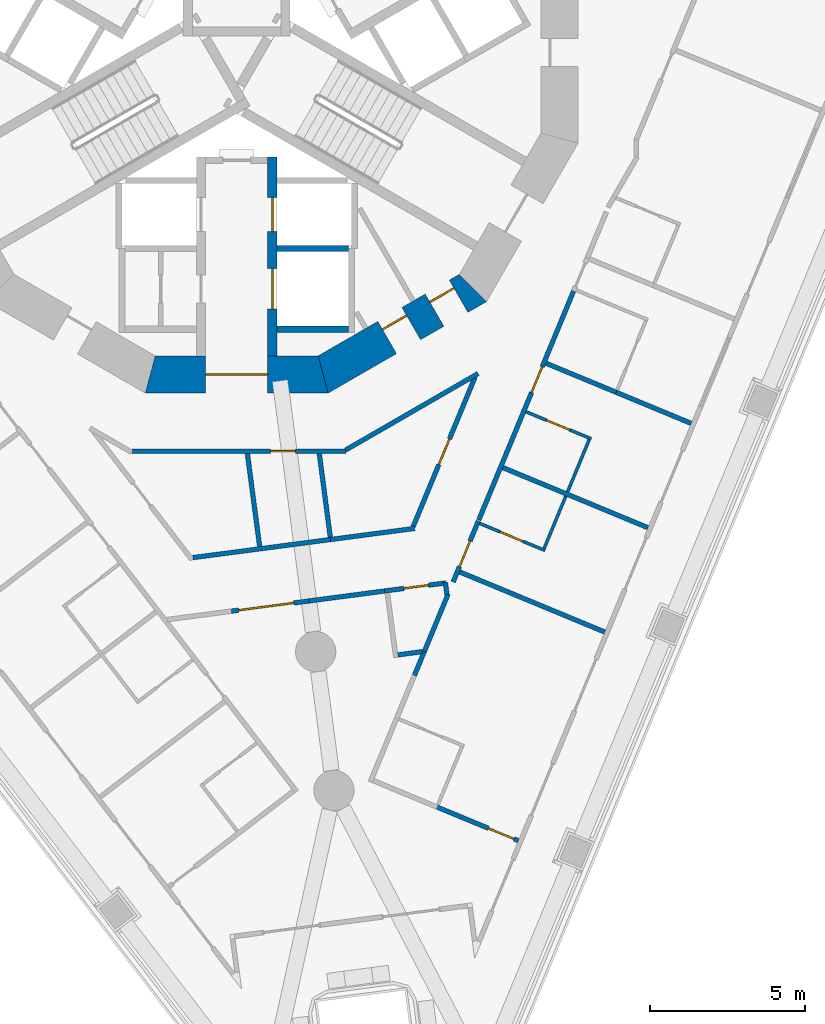
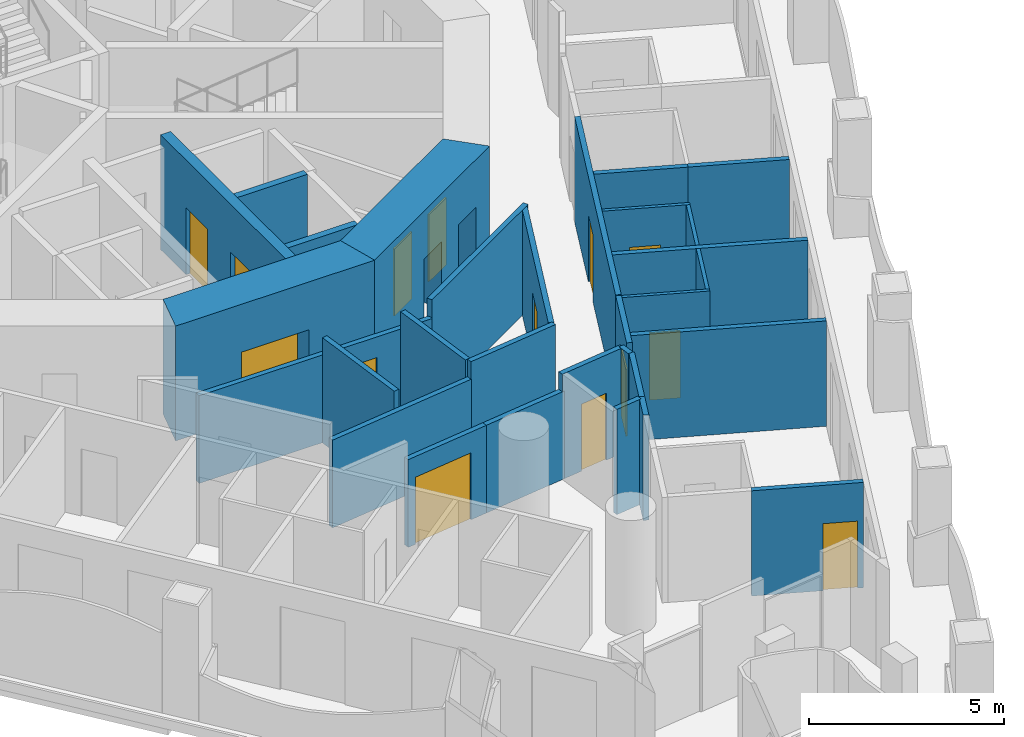
# One storey, part 4 of 19: 30 walls, 14 doors, 14 openings.
"""IFC4 building model written with IfcOpenShell, lengths in metres."""

from ifc_helpers import new_model, si_unit, direction, frame, frame_2d, origin, place, context, subcontext, project, spatial, polyline, rectangle, outline, extrude, material, layer, layer_set, type_object, element, fill, save


model = new_model("IFC4")

# Units and contexts
model_context = context("Model", 3, precision=1e-05, world=origin(), true_north=direction((0.0, 1.0)))
body_context = subcontext(model_context, "Body", "Model", "MODEL_VIEW")
ifc_project = project(units=[si_unit("LENGTHUNIT", "METRE"), si_unit("AREAUNIT", "SQUARE_METRE"), si_unit("VOLUMEUNIT", "CUBIC_METRE"), si_unit("PLANEANGLEUNIT", "RADIAN"), si_unit("MASSUNIT", "GRAM", prefix="KILO")], contexts=[model_context])

# Site, building, storey
site_placement = place(None, origin())
site = spatial("IfcSite", under=ifc_project, at=site_placement, CompositionType="ELEMENT")
building_placement = place(site_placement, origin())
building = spatial("IfcBuilding", under=site, at=building_placement, Name="Trine Commons Tower", CompositionType="ELEMENT")
storey_placement = place(building_placement, frame((0.0, 0.0, 72.0)))
storey = spatial("IfcBuildingStorey", under=building, at=storey_placement, Name="L17", CompositionType="ELEMENT", Elevation=72.0)

# Wall, opening, door
ifc_material_1 = material(Name="Concrete C80/95", Category="concrete")
ifc_layer_1 = layer(ifc_material_1, 1.199951171875)
ifc_layer_set_1 = layer_set([ifc_layer_1], Name="Concrete C80/95")
wall_type_1 = type_object("IfcWallType", Name="RC shear wall 1200 mm, C80/95", PredefinedType="SHEAR", material=ifc_layer_set_1)
wall_1_placement = place(storey_placement, frame((77.049560546875, 52.08837890625, 0.0), z_axis=(0.0, 0.0, 1.0), x_axis=(1.0, 0.0, 0.0)))
wall_1 = element("IfcWall", 1, at=wall_1_placement, inside=storey, type_object=wall_type_1, Name="Core wall CWB-10 L17", PredefinedType="SHEAR", context=body_context, shape_type="SweptSolid", body=[
    extrude(outline(polyline([(0.0, -0.60009765625), (5.90087890625, -0.60009765625), (5.57958984375, 0.60009765625), (0.321533203125, 0.60009765625), (0.0, -0.60009765625)])), origin(), (0.0, 0.0, 1.0), 3.60009765625),
])
opening_1_placement = place(wall_1_placement, frame((1.950439453125, 0.0, 0.0)))
opening_1 = element("IfcOpeningElement", 2, at=opening_1_placement, cuts=wall_1, Name="Opening K04.08", PredefinedType="OPENING", context=body_context, shape_type="SweptSolid", body=[
    extrude(rectangle(XDim=2.0, YDim=2.10009765625, at=frame_2d((1.0, 1.050048828125))), frame((0.0, 0.60986328125, 0.0), z_axis=(0.0, -1.0, 0.0), x_axis=(1.0, 0.0, 0.0)), (0.0, 0.0, 1.0), 1.219970703125),
])
ifc_material_2 = material(Name="Steel door leaves, fire-rated", Category="steel")
door_type_1 = type_object("IfcDoorType", Name="Lobby door, double leaf 2000 x 2100, FD60", OperationType="DOUBLE_DOOR_SINGLE_SWING", PredefinedType="DOOR", material=ifc_material_2)
door_1_placement = place(opening_1_placement, origin())
door_1 = element("IfcDoor", 3, at=door_1_placement, inside=storey, type_object=door_type_1, Name="Lobby door, Service and firefighting lobby L17", OperationType="DOUBLE_DOOR_SINGLE_SWING", OverallHeight=2.10009765625, OverallWidth=2.0, PredefinedType="DOOR", context=body_context, shape_type="SweptSolid", body=[
    extrude(rectangle(XDim=2.0, YDim=2.10009765625, at=frame_2d((1.0, 1.050048828125))), frame((0.0, 0.02490234375, 0.0), z_axis=(0.0, -1.0, 0.0), x_axis=(1.0, 0.0, 0.0)), (0.0, 0.0, 1.0), 0.050048828125),
])
fill(opening_1, door_1)

# Wall, openings, doors
wall_2_placement = place(storey_placement, frame((82.650390625, 52.008056640625, 0.0), z_axis=(0.0, 0.0, 1.0), x_axis=(0.866037463336, 0.499979111662, 0.0)))
wall_2 = element("IfcWall", 4, at=wall_2_placement, inside=storey, type_object=wall_type_1, Name="Core wall CWB-11 L17", PredefinedType="SHEAR", context=body_context, shape_type="SweptSolid", body=[
    extrude(outline(polyline([(0.0, -0.60009765625), (5.901123046875, -0.60009765625), (5.57958984375, 0.60009765625), (0.321533203125, 0.60009765625), (0.0, -0.60009765625)])), origin(), (0.0, 0.0, 1.0), 3.60009765625),
])
opening_2_placement = place(wall_2_placement, frame((2.543701171875, 0.0, 0.0)))
opening_2 = element("IfcOpeningElement", 5, at=opening_2_placement, cuts=wall_2, Name="Opening K04.16", PredefinedType="OPENING", context=body_context, shape_type="SweptSolid", body=[
    extrude(rectangle(XDim=0.89990234375, YDim=2.10009765625, at=frame_2d((0.449951171875, 1.050048828125))), frame((0.0, 0.60986328125, 0.0), z_axis=(0.0, -1.0, 0.0), x_axis=(1.0, 0.0, 0.0)), (0.0, 0.0, 1.0), 1.219970703125),
])
opening_3_placement = place(wall_2_placement, frame((4.308837890625, 0.0, 0.0)))
opening_3 = element("IfcOpeningElement", 6, at=opening_3_placement, cuts=wall_2, Name="Opening K04.17", PredefinedType="OPENING", context=body_context, shape_type="SweptSolid", body=[
    extrude(rectangle(XDim=0.89990234375, YDim=2.10009765625, at=frame_2d((0.449951171875, 1.050048828125))), frame((0.0, 0.60986328125, 0.0), z_axis=(0.0, -1.0, 0.0), x_axis=(1.0, 0.0, 0.0)), (0.0, 0.0, 1.0), 1.219970703125),
])
ifc_material_3 = material(Name="Steel door leaf, fire-rated", Category="steel")
door_type_2 = type_object("IfcDoorType", Name="Core room door, single leaf 900 x 2100, FD30S", OperationType="SINGLE_SWING_LEFT", PredefinedType="DOOR", material=ifc_material_3)
door_2_placement = place(opening_2_placement, origin())
door_2 = element("IfcDoor", 7, at=door_2_placement, inside=storey, type_object=door_type_2, Name="Door to Linen store L17", OperationType="SINGLE_SWING_RIGHT", OverallHeight=2.10009765625, OverallWidth=0.89990234375, PredefinedType="DOOR", context=body_context, shape_type="SweptSolid", body=[
    extrude(rectangle(XDim=0.89990234375, YDim=2.10009765625, at=frame_2d((0.449951171875, 1.050048828125))), frame((0.0, 0.3251953125, 0.0), z_axis=(0.0, -1.0, 0.0), x_axis=(1.0, 0.0, 0.0)), (0.0, 0.0, 1.0), 0.050048828125),
])
fill(opening_2, door_2)
door_3_placement = place(opening_3_placement, origin())
door_3 = element("IfcDoor", 8, at=door_3_placement, inside=storey, type_object=door_type_2, Name="Door to Pantry L17", OperationType="SINGLE_SWING_RIGHT", OverallHeight=2.10009765625, OverallWidth=0.89990234375, PredefinedType="DOOR", context=body_context, shape_type="SweptSolid", body=[
    extrude(rectangle(XDim=0.89990234375, YDim=2.10009765625, at=frame_2d((0.449951171875, 1.050048828125))), frame((0.0, 0.3251953125, 0.0), z_axis=(0.0, -1.0, 0.0), x_axis=(1.0, 0.0, 0.0)), (0.0, 0.0, 1.0), 0.050048828125),
])
fill(opening_3, door_3)

ifc_layer_2 = layer(ifc_material_1, 0.300048828125)
ifc_layer_set_2 = layer_set([ifc_layer_2], Name="Concrete C80/95")
wall_type_2 = type_object("IfcWallType", Name="RC shear wall 300 mm, C80/95", PredefinedType="SHEAR", material=ifc_layer_set_2)
wall_3_placement = place(storey_placement, frame((81.14990234375, 59.10009765625, 0.0), z_axis=(0.0, 0.0, 1.0), x_axis=(0.0, -1.0, 0.0)))
wall_3 = element("IfcWall", 9, at=wall_3_placement, inside=storey, type_object=wall_type_2, Name="Core cross wall SWA-04 L17", PredefinedType="SHEAR", context=body_context, shape_type="SweptSolid", body=[
    extrude(rectangle(XDim=6.412109375, YDim=0.300048828125, at=frame_2d((3.2060546875, 0.0))), origin(), (0.0, 0.0, 1.0), 3.60009765625),
])
opening_4_placement = place(wall_3_placement, frame((3.60009765625, 0.0, 0.0)))
opening_4 = element("IfcOpeningElement", 10, at=opening_4_placement, cuts=wall_3, Name="Opening LD11", PredefinedType="OPENING", context=body_context, shape_type="SweptSolid", body=[
    extrude(rectangle(XDim=1.300048828125, YDim=2.10009765625, at=frame_2d((0.64990234375, 1.050048828125))), frame((0.0, 0.159912109375, 0.0), z_axis=(0.0, -1.0, 0.0), x_axis=(1.0, 0.0, 0.0)), (0.0, 0.0, 1.0), 0.320068359375),
])
opening_5_placement = place(wall_3_placement, frame((1.300048828125, 0.0, 0.0)))
opening_5 = element("IfcOpeningElement", 11, at=opening_5_placement, cuts=wall_3, Name="Opening LD9", PredefinedType="OPENING", context=body_context, shape_type="SweptSolid", body=[
    extrude(rectangle(XDim=1.10009765625, YDim=2.10009765625, at=frame_2d((0.550048828125, 1.050048828125))), frame((0.0, 0.159912109375, 0.0), z_axis=(0.0, -1.0, 0.0), x_axis=(1.0, 0.0, 0.0)), (0.0, 0.0, 1.0), 0.320068359375),
])
ifc_material_4 = material(Name="Stainless steel sliding door leaves", Category="steel")
door_type_3 = type_object("IfcDoorType", Name="Lift landing door, centre-opening sliding 1100 x 2100, FD90", OperationType="DOUBLE_DOOR_SLIDING", PredefinedType="DOOR", material=ifc_material_4)
door_4_placement = place(opening_5_placement, origin())
door_4 = element("IfcDoor", 12, at=door_4_placement, inside=storey, type_object=door_type_3, Name="Lift landing door FF1 L17", OperationType="DOUBLE_DOOR_SLIDING", OverallHeight=2.10009765625, OverallWidth=1.10009765625, PredefinedType="DOOR", context=body_context, shape_type="SweptSolid", body=[
    extrude(rectangle(XDim=1.10009765625, YDim=2.10009765625, at=frame_2d((0.550048828125, 1.050048828125))), frame((0.0, 0.02490234375, 0.0), z_axis=(0.0, -1.0, 0.0), x_axis=(1.0, 0.0, 0.0)), (0.0, 0.0, 1.0), 0.050048828125),
])
fill(opening_5, door_4)
door_type_4 = type_object("IfcDoorType", Name="Lift landing door, centre-opening sliding 1300 x 2100, FD90", OperationType="DOUBLE_DOOR_SLIDING", PredefinedType="DOOR", material=ifc_material_4)
door_5_placement = place(opening_4_placement, origin())
door_5 = element("IfcDoor", 13, at=door_5_placement, inside=storey, type_object=door_type_4, Name="Lift landing door G1 L17", OperationType="DOUBLE_DOOR_SLIDING", OverallHeight=2.10009765625, OverallWidth=1.300048828125, PredefinedType="DOOR", context=body_context, shape_type="SweptSolid", body=[
    extrude(rectangle(XDim=1.300048828125, YDim=2.10009765625, at=frame_2d((0.64990234375, 1.050048828125))), frame((0.0, 0.02490234375, 0.0), z_axis=(0.0, -1.0, 0.0), x_axis=(1.0, 0.0, 0.0)), (0.0, 0.0, 1.0), 0.050048828125),
])
fill(opening_4, door_5)

# Walls
ifc_material_5 = material(Name="Fire-rated gypsum shaft wall system")
ifc_layer_3 = layer(ifc_material_5, 0.199951171875)
ifc_layer_set_3 = layer_set([ifc_layer_3], Name="Fire-rated gypsum shaft wall system")
wall_type_3 = type_object("IfcWallType", Name="Shaft wall 200 mm, EI 120", PredefinedType="PARTITIONING", material=ifc_layer_set_3)
for number, where, z_axis, x_axis, name in (
    (14, (81.300048828125, 53.550048828125, 0.0), (0.0, 0.0, 1.0), (1.0, 0.0, 0.0), "Shaft wall L17"),
    (15, (81.300048828125, 56.14990234375, 0.0), (0.0, 0.0, 1.0), (1.0, 0.0, 0.0), "Shaft wall L17"),
):
    element("IfcWall", number, at=place(storey_placement, frame(where, z_axis=z_axis, x_axis=x_axis)), inside=storey, type_object=wall_type_3, Name=name, PredefinedType="PARTITIONING", context=body_context, shape_type="SweptSolid", body=[
        extrude(rectangle(XDim=2.300048828125, YDim=0.199951171875, at=frame_2d((1.14990234375, 0.0))), origin(), (0.0, 0.0, 1.0), 3.300048828125),
    ])

# Wall, opening, door
ifc_material_6 = material(Name="Gypsum plasterboard on steel stud", Category="steel")
ifc_layer_4 = layer(ifc_material_6, 0.14990234375)
ifc_layer_set_4 = layer_set([ifc_layer_4], Name="Gypsum plasterboard on steel stud")
wall_type_4 = type_object("IfcWallType", Name="Unit and corridor wall 150 mm, EI 60", PredefinedType="PARTITIONING", material=ifc_layer_set_4)
wall_4_placement = place(storey_placement, frame((76.6220703125, 49.613037109375, 0.0), z_axis=(0.0, 0.0, 1.0), x_axis=(1.0, 0.0, 0.0)))
wall_4 = element("IfcWall", 16, at=wall_4_placement, inside=storey, type_object=wall_type_4, Name="Partition 068", PredefinedType="PARTITIONING", context=body_context, shape_type="SweptSolid", body=[
    extrude(rectangle(XDim=6.906005859375, YDim=0.14990234375, at=frame_2d((3.453125, 0.0))), origin(), (0.0, 0.0, 1.0), 2.75),
])
opening_6_placement = place(wall_4_placement, frame((4.472900390625, 0.0, 0.0)))
opening_6 = element("IfcOpeningElement", 17, at=opening_6_placement, cuts=wall_4, Name="Opening D-2C40", PredefinedType="OPENING", context=body_context, shape_type="SweptSolid", body=[
    extrude(rectangle(XDim=0.800048828125, YDim=2.10009765625, at=frame_2d((0.39990234375, 1.050048828125))), frame((0.0, 0.0849609375, 0.0), z_axis=(0.0, -1.0, 0.0), x_axis=(1.0, 0.0, 0.0)), (0.0, 0.0, 1.0), 0.169921875),
])
ifc_material_7 = material(Name="Painted timber", Category="wood")
door_type_5 = type_object("IfcDoorType", Name="Toilet door 800 x 2100, NOT RATED", OperationType="NOTDEFINED", PredefinedType="DOOR", material=ifc_material_7)
door_6_placement = place(opening_6_placement, frame((0.800048828125, 0.0, 0.0), z_axis=(0.0, 0.0, 1.0), x_axis=(-1.0, 0.0, 0.0)))
door_6 = element("IfcDoor", 18, at=door_6_placement, inside=storey, type_object=door_type_5, Name="Door D-2C40", OperationType="SINGLE_SWING_LEFT", OverallHeight=2.10009765625, OverallWidth=0.800048828125, PredefinedType="DOOR", context=body_context, shape_type="SweptSolid", body=[
    extrude(rectangle(XDim=0.800048828125, YDim=2.10009765625, at=frame_2d((0.39990234375, 1.050048828125))), frame((0.0, 0.02490234375, 0.0), z_axis=(0.0, -1.0, 0.0), x_axis=(1.0, 0.0, 0.0)), (0.0, 0.0, 1.0), 0.050048828125),
])
fill(opening_6, door_6)

# Wall
wall_5_placement = place(storey_placement, frame((78.58642578125, 46.177734375, 0.0), z_axis=(0.0, 0.0, 1.0), x_axis=(0.991454110298, 0.130455920425, 0.0)))
element("IfcWall", 19, at=wall_5_placement, inside=storey, type_object=wall_type_4, Name="Partition 074", PredefinedType="PARTITIONING", context=body_context, shape_type="SweptSolid", body=[
    extrude(rectangle(XDim=4.48583984375, YDim=0.14990234375, at=frame_2d((2.242919921875, 0.0))), origin(), (0.0, 0.0, 1.0), 2.75),
])

# Wall, opening, door
wall_6_placement = place(storey_placement, frame((79.830078125, 44.450927734375, 0.0), z_axis=(0.0, 0.0, 1.0), x_axis=(0.991466141497, 0.130364451691, 0.0)))
wall_6 = element("IfcWall", 20, at=wall_6_placement, inside=storey, type_object=wall_type_4, Name="Partition 079", PredefinedType="PARTITIONING", context=body_context, shape_type="SweptSolid", body=[
    extrude(rectangle(XDim=2.5244140625, YDim=0.14990234375, at=frame_2d((1.26220703125, 0.0))), origin(), (0.0, 0.0, 1.0), 2.75),
])
opening_7_placement = place(wall_6_placement, frame((0.23486328125, 0.0, 0.0)))
opening_7 = element("IfcOpeningElement", 21, at=opening_7_placement, cuts=wall_6, Name="Opening D-2C02", PredefinedType="OPENING", context=body_context, shape_type="SweptSolid", body=[
    extrude(rectangle(XDim=1.800048828125, YDim=2.10009765625, at=frame_2d((0.89990234375, 1.050048828125))), frame((0.0, 0.0849609375, 0.0), z_axis=(0.0, -1.0, 0.0), x_axis=(1.0, 0.0, 0.0)), (0.0, 0.0, 1.0), 0.169921875),
])
ifc_material_8 = material(Name="Timber fire door set", Category="wood")
door_type_6 = type_object("IfcDoorType", Name="Cluster entrance door 1800 x 2100, double leaf, FD30S", OperationType="DOUBLE_DOOR_DOUBLE_SWING", PredefinedType="DOOR", material=ifc_material_8)
door_7_placement = place(opening_7_placement, frame((1.800048828125, 0.0, 0.0), z_axis=(0.0, 0.0, 1.0), x_axis=(-1.0, 0.0, 0.0)))
door_7 = element("IfcDoor", 22, at=door_7_placement, inside=storey, type_object=door_type_6, Name="Door D-2C02", OperationType="DOUBLE_DOOR_DOUBLE_SWING", OverallHeight=2.10009765625, OverallWidth=1.800048828125, PredefinedType="DOOR", context=body_context, shape_type="SweptSolid", body=[
    extrude(rectangle(XDim=1.800048828125, YDim=2.10009765625, at=frame_2d((0.89990234375, 1.050048828125))), frame((0.0, 0.02490234375, 0.0), z_axis=(0.0, -1.0, 0.0), x_axis=(1.0, 0.0, 0.0)), (0.0, 0.0, 1.0), 0.050048828125),
])
fill(opening_7, door_7)

# Walls
wall_7_placement = place(storey_placement, frame((80.3447265625, 49.53857421875, 0.0), z_axis=(0.0, 0.0, 1.0), x_axis=(0.130652703184, -0.991428197678, 0.0)))
element("IfcWall", 23, at=wall_7_placement, inside=storey, type_object=wall_type_4, Name="Partition 081", PredefinedType="PARTITIONING", context=body_context, shape_type="SweptSolid", body=[
    extrude(rectangle(XDim=3.027099609375, YDim=0.14990234375, at=frame_2d((1.513671875, 0.0))), origin(), (0.0, 0.0, 1.0), 3.300048828125),
])
wall_8_placement = place(storey_placement, frame((82.3330078125, 44.780029296875, 0.0), z_axis=(0.0, 0.0, 1.0), x_axis=(0.991416071527, 0.130744686764, 0.0)))
element("IfcWall", 24, at=wall_8_placement, inside=storey, type_object=wall_type_4, Name="Partition 083", PredefinedType="PARTITIONING", context=body_context, shape_type="SweptSolid", body=[
    extrude(rectangle(XDim=2.524658203125, YDim=0.14990234375, at=frame_2d((1.26220703125, 0.0))), origin(), (0.0, 0.0, 1.0), 2.75),
])
wall_9_placement = place(storey_placement, frame((82.664794921875, 49.53857421875, 0.0), z_axis=(0.0, 0.0, 1.0), x_axis=(0.130473056883, -0.991451855325, 0.0)))
element("IfcWall", 25, at=wall_9_placement, inside=storey, type_object=wall_type_4, Name="Partition 084", PredefinedType="PARTITIONING", context=body_context, shape_type="SweptSolid", body=[
    extrude(rectangle(XDim=2.724365234375, YDim=0.14990234375, at=frame_2d((1.3623046875, 0.0))), origin(), (0.0, 0.0, 1.0), 3.300048828125),
])
wall_10_placement = place(storey_placement, frame((83.02587890625, 46.761962890625, 0.0), z_axis=(0.0, 0.0, 1.0), x_axis=(0.991413869998, 0.130761379525, 0.0)))
element("IfcWall", 26, at=wall_10_placement, inside=storey, type_object=wall_type_4, Name="Partition 085", PredefinedType="PARTITIONING", context=body_context, shape_type="SweptSolid", body=[
    extrude(rectangle(XDim=2.737060546875, YDim=0.14990234375, at=frame_2d((1.36865234375, 0.0))), origin(), (0.0, 0.0, 1.0), 3.300048828125),
])
wall_11_placement = place(storey_placement, frame((83.517822265625, 49.650390625, 0.0), z_axis=(0.0, 0.0, 1.0), x_axis=(0.865971288988, 0.500093717866, 0.0)))
element("IfcWall", 27, at=wall_11_placement, inside=storey, type_object=wall_type_4, Name="Partition 086", PredefinedType="PARTITIONING", context=body_context, shape_type="SweptSolid", body=[
    extrude(rectangle(XDim=4.93310546875, YDim=0.14990234375, at=frame_2d((2.466552734375, 0.0))), origin(), (0.0, 0.0, 1.0), 3.300048828125),
])

# Wall, opening, door
wall_12_placement = place(storey_placement, frame((84.772705078125, 45.102294921875, 0.0), z_axis=(0.0, 0.0, 1.0), x_axis=(0.991450105095, 0.130486356022, 0.0)))
wall_12 = element("IfcWall", 28, at=wall_12_placement, inside=storey, type_object=wall_type_4, Name="Partition 089", PredefinedType="PARTITIONING", context=body_context, shape_type="SweptSolid", body=[
    extrude(rectangle(XDim=1.983154296875, YDim=0.14990234375, at=frame_2d((0.99169921875, 0.0))), origin(), (0.0, 0.0, 1.0), 3.300048828125),
])
opening_8_placement = place(wall_12_placement, frame((0.629150390625, 0.0, 0.0)))
opening_8 = element("IfcOpeningElement", 29, at=opening_8_placement, cuts=wall_12, Name="Opening D-2C05", PredefinedType="OPENING", context=body_context, shape_type="SweptSolid", body=[
    extrude(rectangle(XDim=0.800048828125, YDim=2.10009765625, at=frame_2d((0.39990234375, 1.050048828125))), frame((0.0, 0.0849609375, 0.0), z_axis=(0.0, -1.0, 0.0), x_axis=(1.0, 0.0, 0.0)), (0.0, 0.0, 1.0), 0.169921875),
])
door_8_placement = place(opening_8_placement, frame((0.800048828125, 0.0, 0.0), z_axis=(0.0, 0.0, 1.0), x_axis=(-1.0, 0.0, 0.0)))
door_8 = element("IfcDoor", 30, at=door_8_placement, inside=storey, type_object=door_type_5, Name="Door D-2C05", OperationType="SINGLE_SWING_LEFT", OverallHeight=2.10009765625, OverallWidth=0.800048828125, PredefinedType="DOOR", context=body_context, shape_type="SweptSolid", body=[
    extrude(rectangle(XDim=0.800048828125, YDim=2.10009765625, at=frame_2d((0.39990234375, 1.050048828125))), frame((0.0, 0.02490234375, 0.0), z_axis=(0.0, -1.0, 0.0), x_axis=(1.0, 0.0, 0.0)), (0.0, 0.0, 1.0), 0.050048828125),
])
fill(opening_8, door_8)

# Wall
wall_13_placement = place(storey_placement, frame((85.200439453125, 43.039794921875, 0.0), z_axis=(0.0, 0.0, 1.0), x_axis=(0.991515431038, 0.129989038049, 0.0)))
element("IfcWall", 31, at=wall_13_placement, inside=storey, type_object=wall_type_4, Name="Partition 091", PredefinedType="PARTITIONING", context=body_context, shape_type="SweptSolid", body=[
    extrude(rectangle(XDim=0.786865234375, YDim=0.14990234375, at=frame_2d((0.3935546875, 0.0))), origin(), (0.0, 0.0, 1.0), 3.300048828125),
])

# Wall, opening, door
wall_14_placement = place(storey_placement, frame((85.693603515625, 47.17919921875, 0.0), z_axis=(0.0, 0.0, 1.0), x_axis=(0.382564920946, 0.923928612643, 0.0)))
wall_14 = element("IfcWall", 32, at=wall_14_placement, inside=storey, type_object=wall_type_4, Name="Partition 096", PredefinedType="PARTITIONING", context=body_context, shape_type="SweptSolid", body=[
    extrude(rectangle(XDim=5.227294921875, YDim=0.14990234375, at=frame_2d((2.61376953125, 0.0))), origin(), (0.0, 0.0, 1.0), 3.300048828125),
])
opening_9_placement = place(wall_14_placement, frame((2.16357421875, 0.0, 0.0)))
opening_9 = element("IfcOpeningElement", 33, at=opening_9_placement, cuts=wall_14, Name="Opening D-2C34", PredefinedType="OPENING", context=body_context, shape_type="SweptSolid", body=[
    extrude(rectangle(XDim=0.89990234375, YDim=2.10009765625, at=frame_2d((0.449951171875, 1.050048828125))), frame((0.0, 0.0849609375, 0.0), z_axis=(0.0, -1.0, 0.0), x_axis=(1.0, 0.0, 0.0)), (0.0, 0.0, 1.0), 0.169921875),
])
door_type_7 = type_object("IfcDoorType", Name="Service door 900 x 2100, FD30S", OperationType="NOTDEFINED", PredefinedType="DOOR", material=ifc_material_8)
door_9_placement = place(opening_9_placement, origin())
door_9 = element("IfcDoor", 34, at=door_9_placement, inside=storey, type_object=door_type_7, Name="Door D-2C34", OperationType="SINGLE_SWING_LEFT", OverallHeight=2.10009765625, OverallWidth=0.89990234375, PredefinedType="DOOR", context=body_context, shape_type="SweptSolid", body=[
    extrude(rectangle(XDim=0.89990234375, YDim=2.10009765625, at=frame_2d((0.449951171875, 1.050048828125))), frame((0.0, 0.02490234375, 0.0), z_axis=(0.0, -1.0, 0.0), x_axis=(1.0, 0.0, 0.0)), (0.0, 0.0, 1.0), 0.050048828125),
])
fill(opening_9, door_9)

# Walls
wall_15_placement = place(storey_placement, frame((85.73388671875, 42.3779296875, 0.0), z_axis=(0.0, 0.0, 1.0), x_axis=(0.383063523393, 0.923722002036, 0.0)))
element("IfcWall", 35, at=wall_15_placement, inside=storey, type_object=wall_type_4, Name="Partition 097", PredefinedType="PARTITIONING", context=body_context, shape_type="SweptSolid", body=[
    extrude(rectangle(XDim=0.838134765625, YDim=0.14990234375, at=frame_2d((0.4189453125, 0.0))), origin(), (0.0, 0.0, 1.0), 3.300048828125),
])
wall_16_placement = place(storey_placement, frame((86.054931640625, 43.152099609375, 0.0), z_axis=(0.0, 0.0, 1.0), x_axis=(0.382829605696, 0.923818971987, 0.0)))
element("IfcWall", 36, at=wall_16_placement, inside=storey, type_object=wall_type_4, Name="Partition 098", PredefinedType="PARTITIONING", context=body_context, shape_type="SweptSolid", body=[
    extrude(rectangle(XDim=2.00048828125, YDim=0.14990234375, at=frame_2d((1.000244140625, 0.0))), origin(), (0.0, 0.0, 1.0), 3.300048828125),
])

# Wall, opening, door
wall_17_placement = place(storey_placement, frame((86.413818359375, 38.151123046875, 0.0), z_axis=(0.0, 0.0, 1.0), x_axis=(0.923916054036, -0.382595249703, 0.0)))
wall_17 = element("IfcWall", 37, at=wall_17_placement, inside=storey, type_object=wall_type_4, Name="Partition 099", PredefinedType="PARTITIONING", context=body_context, shape_type="SweptSolid", body=[
    extrude(rectangle(XDim=2.893310546875, YDim=0.14990234375, at=frame_2d((1.44677734375, 0.0))), origin(), (0.0, 0.0, 1.0), 3.300048828125),
])
opening_10_placement = place(wall_17_placement, frame((1.84326171875, 0.0, 0.0)))
opening_10 = element("IfcOpeningElement", 38, at=opening_10_placement, cuts=wall_17, Name="Opening D-2C23", PredefinedType="OPENING", context=body_context, shape_type="SweptSolid", body=[
    extrude(rectangle(XDim=0.89990234375, YDim=2.10009765625, at=frame_2d((0.449951171875, 1.050048828125))), frame((0.0, 0.0849609375, 0.0), z_axis=(0.0, -1.0, 0.0), x_axis=(1.0, 0.0, 0.0)), (0.0, 0.0, 1.0), 0.169921875),
])
door_type_8 = type_object("IfcDoorType", Name="Bedroom door 900 x 2100, FD30S", OperationType="NOTDEFINED", PredefinedType="DOOR", material=ifc_material_8)
door_10_placement = place(opening_10_placement, origin())
door_10 = element("IfcDoor", 39, at=door_10_placement, inside=storey, type_object=door_type_8, Name="Door D-2C23", OperationType="SINGLE_SWING_RIGHT", OverallHeight=2.10009765625, OverallWidth=0.89990234375, PredefinedType="DOOR", context=body_context, shape_type="SweptSolid", body=[
    extrude(rectangle(XDim=0.89990234375, YDim=2.10009765625, at=frame_2d((0.449951171875, 1.050048828125))), frame((0.0, 0.02490234375, 0.0), z_axis=(0.0, -1.0, 0.0), x_axis=(1.0, 0.0, 0.0)), (0.0, 0.0, 1.0), 0.050048828125),
])
fill(opening_10, door_10)

# Wall
wall_18_placement = place(storey_placement, frame((86.732177734375, 45.380859375, 0.0), z_axis=(0.0, 0.0, 1.0), x_axis=(0.131843859112, -0.99127049629, 0.0)))
element("IfcWall", 40, at=wall_18_placement, inside=storey, type_object=wall_type_4, Name="Partition 102", PredefinedType="PARTITIONING", context=body_context, shape_type="SweptSolid", body=[
    extrude(rectangle(XDim=0.39990234375, YDim=0.14990234375, at=frame_2d((0.199951171875, 0.0))), origin(), (0.0, 0.0, 1.0), 3.300048828125),
])

# Wall, opening, door
wall_19_placement = place(storey_placement, frame((86.98291015625, 45.39306640625, 0.0), z_axis=(0.0, 0.0, 1.0), x_axis=(0.382618621816, 0.923906375257, 0.0)))
wall_19 = element("IfcWall", 41, at=wall_19_placement, inside=storey, type_object=wall_type_4, Name="Partition 103", PredefinedType="PARTITIONING", context=body_context, shape_type="SweptSolid", body=[
    extrude(rectangle(XDim=2.1279296875, YDim=0.14990234375, at=frame_2d((1.06396484375, 0.0))), origin(), (0.0, 0.0, 1.0), 3.300048828125),
])
opening_11_placement = place(wall_19_placement, frame((0.52978515625, 0.0, 0.0)))
opening_11 = element("IfcOpeningElement", 42, at=opening_11_placement, cuts=wall_19, Name="Opening D-2C22", PredefinedType="OPENING", context=body_context, shape_type="SweptSolid", body=[
    extrude(rectangle(XDim=0.89990234375, YDim=2.10009765625, at=frame_2d((0.449951171875, 1.050048828125))), frame((0.0, 0.0849609375, 0.0), z_axis=(0.0, -1.0, 0.0), x_axis=(1.0, 0.0, 0.0)), (0.0, 0.0, 1.0), 0.169921875),
])
door_11_placement = place(opening_11_placement, frame((0.89990234375, 0.0, 0.0), z_axis=(0.0, 0.0, 1.0), x_axis=(-1.0, 0.0, 0.0)))
door_11 = element("IfcDoor", 43, at=door_11_placement, inside=storey, type_object=door_type_8, Name="Door D-2C22", OperationType="SINGLE_SWING_RIGHT", OverallHeight=2.10009765625, OverallWidth=0.89990234375, PredefinedType="DOOR", context=body_context, shape_type="SweptSolid", body=[
    extrude(rectangle(XDim=0.89990234375, YDim=2.10009765625, at=frame_2d((0.449951171875, 1.050048828125))), frame((0.0, 0.02490234375, 0.0), z_axis=(0.0, -1.0, 0.0), x_axis=(1.0, 0.0, 0.0)), (0.0, 0.0, 1.0), 0.050048828125),
])
fill(opening_11, door_11)

# Wall
wall_20_placement = place(storey_placement, frame((87.197265625, 45.71533203125, 0.0), z_axis=(0.0, 0.0, 1.0), x_axis=(0.923879340067, -0.382683896966, 0.0)))
element("IfcWall", 44, at=wall_20_placement, inside=storey, type_object=wall_type_4, Name="Partition 104", PredefinedType="PARTITIONING", context=body_context, shape_type="SweptSolid", body=[
    extrude(rectangle(XDim=5.064208984375, YDim=0.14990234375, at=frame_2d((2.5322265625, 0.0))), origin(), (0.0, 0.0, 1.0), 3.300048828125),
])

# Wall, opening, door
wall_21_placement = place(storey_placement, frame((87.81103515625, 47.39306640625, 0.0), z_axis=(0.0, 0.0, 1.0), x_axis=(0.382690813145, 0.923876475257, 0.0)))
wall_21 = element("IfcWall", 45, at=wall_21_placement, inside=storey, type_object=wall_type_4, Name="Partition 107", PredefinedType="PARTITIONING", context=body_context, shape_type="SweptSolid", body=[
    extrude(rectangle(XDim=8.05615234375, YDim=0.14990234375, at=frame_2d((4.028076171875, 0.0))), origin(), (0.0, 0.0, 1.0), 3.300048828125),
])
opening_12_placement = place(wall_21_placement, frame((4.451904296875, 0.0, 0.0)))
opening_12 = element("IfcOpeningElement", 46, at=opening_12_placement, cuts=wall_21, Name="Opening D-2C21", PredefinedType="OPENING", context=body_context, shape_type="SweptSolid", body=[
    extrude(rectangle(XDim=0.89990234375, YDim=2.10009765625, at=frame_2d((0.449951171875, 1.050048828125))), frame((0.0, 0.0849609375, 0.0), z_axis=(0.0, -1.0, 0.0), x_axis=(1.0, 0.0, 0.0)), (0.0, 0.0, 1.0), 0.169921875),
])
door_12_placement = place(opening_12_placement, frame((0.89990234375, 0.0, 0.0), z_axis=(0.0, 0.0, 1.0), x_axis=(-1.0, 0.0, 0.0)))
door_12 = element("IfcDoor", 47, at=door_12_placement, inside=storey, type_object=door_type_8, Name="Door D-2C21", OperationType="SINGLE_SWING_LEFT", OverallHeight=2.10009765625, OverallWidth=0.89990234375, PredefinedType="DOOR", context=body_context, shape_type="SweptSolid", body=[
    extrude(rectangle(XDim=0.89990234375, YDim=2.10009765625, at=frame_2d((0.449951171875, 1.050048828125))), frame((0.0, 0.02490234375, 0.0), z_axis=(0.0, -1.0, 0.0), x_axis=(1.0, 0.0, 0.0)), (0.0, 0.0, 1.0), 0.050048828125),
])
fill(opening_12, door_12)

# Walls
wall_22_placement = place(storey_placement, frame((88.59130859375, 49.081298828125, 0.0), z_axis=(0.0, 0.0, 1.0), x_axis=(0.923879340067, -0.382683896966, 0.0)))
element("IfcWall", 48, at=wall_22_placement, inside=storey, type_object=wall_type_4, Name="Partition 110", PredefinedType="PARTITIONING", context=body_context, shape_type="SweptSolid", body=[
    extrude(rectangle(XDim=5.064208984375, YDim=0.14990234375, at=frame_2d((2.5322265625, 0.0))), origin(), (0.0, 0.0, 1.0), 3.300048828125),
])
wall_23_placement = place(storey_placement, frame((89.986328125, 52.447265625, 0.0), z_axis=(0.0, 0.0, 1.0), x_axis=(0.923925561413, -0.382572289859, 0.0)))
element("IfcWall", 49, at=wall_23_placement, inside=storey, type_object=wall_type_4, Name="Partition 116", PredefinedType="PARTITIONING", context=body_context, shape_type="SweptSolid", body=[
    extrude(rectangle(XDim=2.44482421875, YDim=0.14990234375, at=frame_2d((1.222412109375, 0.0))), origin(), (0.0, 0.0, 1.0), 3.300048828125),
])
wall_24_placement = place(storey_placement, frame((92.2451171875, 51.511962890625, 0.0), z_axis=(0.0, 0.0, 1.0), x_axis=(0.923836188424, -0.382788057492, 0.0)))
element("IfcWall", 50, at=wall_24_placement, inside=storey, type_object=wall_type_4, Name="Partition 135", PredefinedType="PARTITIONING", context=body_context, shape_type="SweptSolid", body=[
    extrude(rectangle(XDim=2.619384765625, YDim=0.14990234375, at=frame_2d((1.3095703125, 0.0))), origin(), (0.0, 0.0, 1.0), 3.300048828125),
])

# Wall, opening, door
ifc_layer_5 = layer(ifc_material_6, 0.10009765625)
ifc_layer_set_5 = layer_set([ifc_layer_5], Name="Gypsum plasterboard on steel stud")
wall_type_5 = type_object("IfcWallType", Name="Unit partition 100 mm, no rating", PredefinedType="PARTITIONING", material=ifc_layer_set_5)
wall_25_placement = place(storey_placement, frame((87.84521484375, 47.2802734375, 0.0), z_axis=(0.0, 0.0, 1.0), x_axis=(0.92378006954, -0.382923469012, 0.0)))
wall_25 = element("IfcWall", 51, at=wall_25_placement, inside=storey, type_object=wall_type_5, Name="Partition 106", PredefinedType="PARTITIONING", context=body_context, shape_type="SweptSolid", body=[
    extrude(rectangle(XDim=2.275390625, YDim=0.10009765625, at=frame_2d((1.1376953125, 0.0))), origin(), (0.0, 0.0, 1.0), 3.300048828125),
])
opening_13_placement = place(wall_25_placement, frame((0.712646484375, 0.0, 0.0)))
opening_13 = element("IfcOpeningElement", 52, at=opening_13_placement, cuts=wall_25, Name="Opening D-2C55", PredefinedType="OPENING", context=body_context, shape_type="SweptSolid", body=[
    extrude(rectangle(XDim=0.800048828125, YDim=2.10009765625, at=frame_2d((0.39990234375, 1.050048828125))), frame((0.0, 0.06005859375, 0.0), z_axis=(0.0, -1.0, 0.0), x_axis=(1.0, 0.0, 0.0)), (0.0, 0.0, 1.0), 0.1201171875),
])
door_type_9 = type_object("IfcDoorType", Name="Internal door 800 x 2100, NOT RATED", OperationType="NOTDEFINED", PredefinedType="DOOR", material=ifc_material_7)
door_13_placement = place(opening_13_placement, frame((0.800048828125, 0.0, 0.0), z_axis=(0.0, 0.0, 1.0), x_axis=(-1.0, 0.0, 0.0)))
door_13 = element("IfcDoor", 53, at=door_13_placement, inside=storey, type_object=door_type_9, Name="Door D-2C55", OperationType="SINGLE_SWING_RIGHT", OverallHeight=2.10009765625, OverallWidth=0.800048828125, PredefinedType="DOOR", context=body_context, shape_type="SweptSolid", body=[
    extrude(rectangle(XDim=0.800048828125, YDim=2.10009765625, at=frame_2d((0.39990234375, 1.050048828125))), frame((0.0, 0.02490234375, 0.0), z_axis=(0.0, -1.0, 0.0), x_axis=(1.0, 0.0, 0.0)), (0.0, 0.0, 1.0), 0.050048828125),
])
fill(opening_13, door_13)

wall_26_placement = place(storey_placement, frame((89.33837890625, 50.88330078125, 0.0), z_axis=(0.0, 0.0, 1.0), x_axis=(0.923764335003, -0.382961425442, 0.0)))
wall_26 = element("IfcWall", 54, at=wall_26_placement, inside=storey, type_object=wall_type_5, Name="Partition 112", PredefinedType="PARTITIONING", context=body_context, shape_type="SweptSolid", body=[
    extrude(rectangle(XDim=2.275146484375, YDim=0.10009765625, at=frame_2d((1.1376953125, 0.0))), origin(), (0.0, 0.0, 1.0), 3.300048828125),
])
opening_14_placement = place(wall_26_placement, frame((0.712646484375, 0.0, 0.0)))
opening_14 = element("IfcOpeningElement", 55, at=opening_14_placement, cuts=wall_26, Name="Opening D-2C54", PredefinedType="OPENING", context=body_context, shape_type="SweptSolid", body=[
    extrude(rectangle(XDim=0.800048828125, YDim=2.10009765625, at=frame_2d((0.39990234375, 1.050048828125))), frame((0.0, 0.06005859375, 0.0), z_axis=(0.0, -1.0, 0.0), x_axis=(1.0, 0.0, 0.0)), (0.0, 0.0, 1.0), 0.1201171875),
])
door_14_placement = place(opening_14_placement, origin())
door_14 = element("IfcDoor", 56, at=door_14_placement, inside=storey, type_object=door_type_9, Name="Door D-2C54", OperationType="SINGLE_SWING_LEFT", OverallHeight=2.10009765625, OverallWidth=0.800048828125, PredefinedType="DOOR", context=body_context, shape_type="SweptSolid", body=[
    extrude(rectangle(XDim=0.800048828125, YDim=2.10009765625, at=frame_2d((0.39990234375, 1.050048828125))), frame((0.0, 0.02490234375, 0.0), z_axis=(0.0, -1.0, 0.0), x_axis=(1.0, 0.0, 0.0)), (0.0, 0.0, 1.0), 0.050048828125),
])
fill(opening_14, door_14)

# Walls
wall_27_placement = place(storey_placement, frame((89.920166015625, 46.47412109375, 0.0), z_axis=(0.0, 0.0, 1.0), x_axis=(0.382525049986, 0.923945120737, 0.0)))
element("IfcWall", 57, at=wall_27_placement, inside=storey, type_object=wall_type_5, Name="Partition 115", PredefinedType="PARTITIONING", context=body_context, shape_type="SweptSolid", body=[
    extrude(rectangle(XDim=1.825439453125, YDim=0.10009765625, at=frame_2d((0.91259765625, 0.0))), origin(), (0.0, 0.0, 1.0), 3.300048828125),
])
wall_28_placement = place(storey_placement, frame((90.67578125, 48.29931640625, 0.0), z_axis=(0.0, 0.0, 1.0), x_axis=(0.383056790985, 0.923724793908, 0.0)))
element("IfcWall", 58, at=wall_28_placement, inside=storey, type_object=wall_type_5, Name="Partition 119", PredefinedType="PARTITIONING", context=body_context, shape_type="SweptSolid", body=[
    extrude(rectangle(XDim=1.82470703125, YDim=0.10009765625, at=frame_2d((0.912353515625, 0.0))), origin(), (0.0, 0.0, 1.0), 3.300048828125),
])

save(model, "model.ifc")
